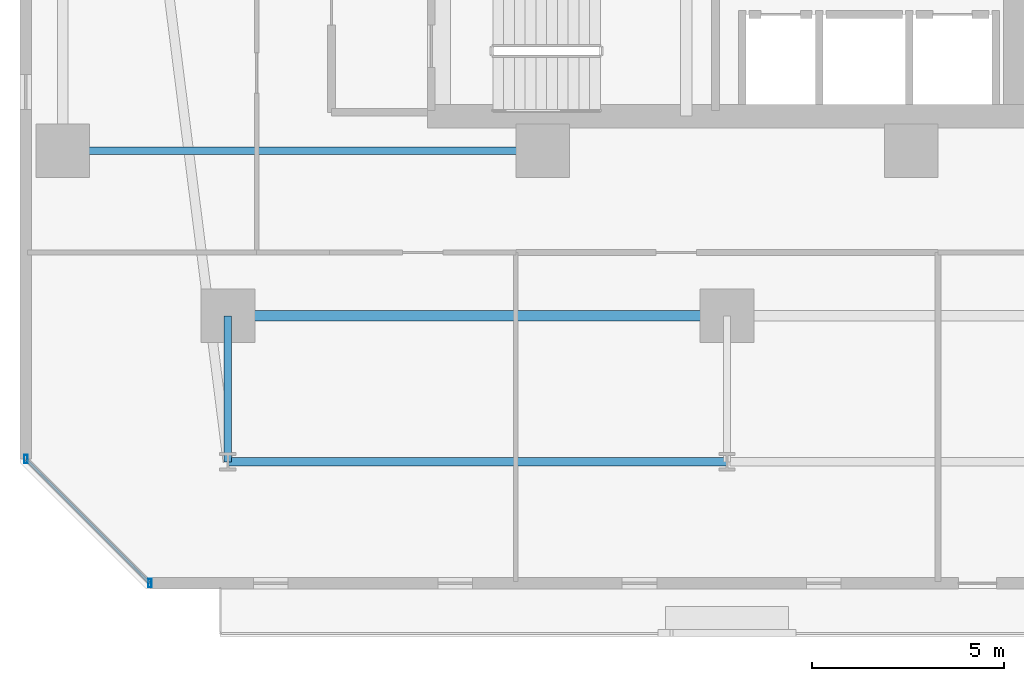
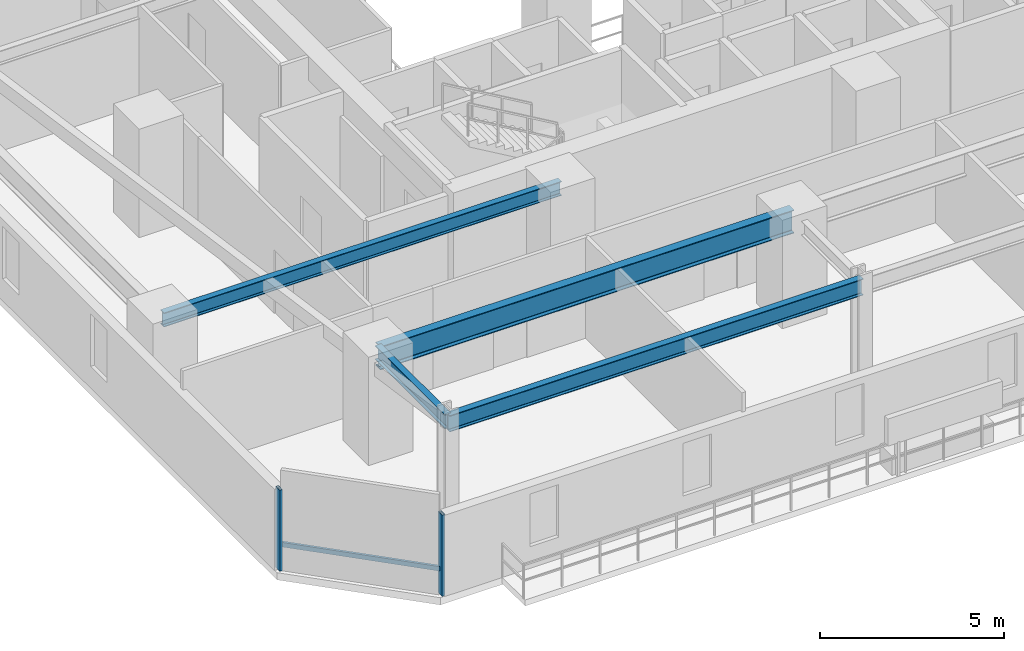
# One storey, part 3 of 34: 4 beams, 3 members, 1 element without a shape of its own.
"""IFC4 building model written with IfcOpenShell, lengths in metres."""

from ifc_helpers import new_model, si_unit, direction, frame, origin, origin_2d, place, context, subcontext, project, spatial, hollow_rectangle, i_section, extrude, material, material_profile, profile_set, type_object, element, aggregate, save


model = new_model("IFC4")

# Units and contexts
model_context = context("Model", 3, precision=1e-05, world=origin(), true_north=direction((0.0, 1.0)))
body_context = subcontext(model_context, "Body", "Model", "MODEL_VIEW")
ifc_project = project(units=[si_unit("LENGTHUNIT", "METRE"), si_unit("AREAUNIT", "SQUARE_METRE"), si_unit("VOLUMEUNIT", "CUBIC_METRE"), si_unit("PLANEANGLEUNIT", "RADIAN"), si_unit("MASSUNIT", "GRAM", prefix="KILO")], contexts=[model_context])

# Site, building, storey
site_placement = place(None, origin())
site = spatial("IfcSite", under=ifc_project, at=site_placement, CompositionType="ELEMENT")
building_placement = place(site_placement, origin())
building = spatial("IfcBuilding", under=site, at=building_placement, Name="Thornwick Lancets Civic Towers", CompositionType="ELEMENT")
storey_placement = place(building_placement, frame((0.0, 0.0, 60.89990234375)))
storey = spatial("IfcBuildingStorey", under=building, at=storey_placement, Name="L15", CompositionType="ELEMENT", Elevation=60.89990234375)

# Beams
ifc_material_1 = material(Name="Steel S355JR", Category="steel")
ifc_material_profile_1 = material_profile(ifc_material_1, i_section(OverallWidth=0.2119140625, OverallDepth=0.54443359375, WebThickness=0.0126953125, FlangeThickness=0.021240234375, FilletRadius=0.0126953125, at=origin_2d()), Name="UKB 533x210x122")
ifc_profile_set_1 = profile_set([ifc_material_profile_1], Name="Steel S355JR")
beam_type_1 = type_object("IfcBeamType", Name="BM_EDGE_533_122", PredefinedType="SPANDREL", material=ifc_profile_set_1)
beam_1_placement = place(storey_placement, frame((12.5, 5.89990234375, 3.087890625), z_axis=(1.0, 0.0, 0.0), x_axis=(0.0, 1.0, 0.0)))
element("IfcBeam", 1, at=beam_1_placement, inside=storey, type_object=beam_type_1, Name="BM-EDGE-L15-A-S0-1", PredefinedType="SPANDREL", context=body_context, shape_type="SweptSolid", body=[
    extrude(i_section(OverallWidth=0.2119140625, OverallDepth=0.54443359375, WebThickness=0.0126953125, FlangeThickness=0.021240234375, FilletRadius=0.0126953125, at=origin_2d()), origin(), (0.0, 0.0, 1.0), 13.0),
])
ifc_material_profile_2 = material_profile(ifc_material_1, i_section(OverallWidth=0.26806640625, OverallDepth=0.769775390625, WebThickness=0.015625, FlangeThickness=0.025390625, FilletRadius=0.0166015625, at=origin_2d()), Name="UKB 762x267x197")
ifc_profile_set_2 = profile_set([ifc_material_profile_2], Name="Steel S355JR")
beam_type_2 = type_object("IfcBeamType", Name="BM_GIRD_762_197", PredefinedType="BEAM", material=ifc_profile_set_2)
beam_2_placement = place(storey_placement, frame((12.5, 9.699951171875, 2.97509765625), z_axis=(1.0, 0.0, 0.0), x_axis=(0.0, 1.0, 0.0)))
element("IfcBeam", 2, at=beam_2_placement, inside=storey, type_object=beam_type_2, Name="BM-SPINE-L15-A-0-1", PredefinedType="BEAM", context=body_context, shape_type="SweptSolid", body=[
    extrude(i_section(OverallWidth=0.26806640625, OverallDepth=0.769775390625, WebThickness=0.015625, FlangeThickness=0.025390625, FilletRadius=0.0166015625, at=origin_2d()), origin(), (0.0, 0.0, 1.0), 13.0),
])
ifc_material_profile_3 = material_profile(ifc_material_1, i_section(OverallWidth=0.19287109375, OverallDepth=0.46728515625, WebThickness=0.011474609375, FlangeThickness=0.01953125, FilletRadius=0.01025390625, at=origin_2d()), Name="UKB 457x191x98")
ifc_profile_set_3 = profile_set([ifc_material_profile_3], Name="Steel S355JR")
beam_type_3 = type_object("IfcBeamType", Name="BM_JOIST_457_98", PredefinedType="JOIST", material=ifc_profile_set_3)
beam_3_placement = place(storey_placement, frame((12.5, 9.699951171875, 3.12646484375), z_axis=(0.0, -1.0, 0.0), x_axis=(1.0, 0.0, 0.0)))
element("IfcBeam", 3, at=beam_3_placement, inside=storey, type_object=beam_type_3, Name="BM-RAD-L15-A01", PredefinedType="JOIST", context=body_context, shape_type="SweptSolid", body=[
    extrude(i_section(OverallWidth=0.19287109375, OverallDepth=0.46728515625, WebThickness=0.011474609375, FlangeThickness=0.01953125, FilletRadius=0.01025390625, at=origin_2d()), origin(), (0.0, 0.0, 1.0), 3.800048828125),
])
beam_4_placement = place(storey_placement, frame((20.699951171875, 14.0, 3.12646484375), z_axis=(-1.0, 0.0, 0.0), x_axis=(0.0, -1.0, 0.0)))
element("IfcBeam", 4, at=beam_4_placement, inside=storey, type_object=beam_type_3, Name="BM-RADIN-L15-A10", PredefinedType="JOIST", context=body_context, shape_type="SweptSolid", body=[
    extrude(i_section(OverallWidth=0.19287109375, OverallDepth=0.46728515625, WebThickness=0.011474609375, FlangeThickness=0.01953125, FilletRadius=0.01025390625, at=origin_2d()), origin(), (0.0, 0.0, 1.0), 12.5),
])

# Curtain wall, members
ifc_material_2 = material(Name="Low-zone chamfered-corner unitised glass curtain wall", Category="glass")
curtain_wall_type = type_object("IfcCurtainWallType", Name="CW_SYS_03", PredefinedType="NOTDEFINED", material=ifc_material_2)
curtain_wall_placement = place(storey_placement, origin())
curtain_wall = element("IfcCurtainWall", 5, at=curtain_wall_placement, inside=storey, type_object=curtain_wall_type, Name="L15 Curtain Wall CW-L15-A-E7", PredefinedType="NOTDEFINED")
ifc_material_3 = material(Name="Thermally broken bronze aluminium S355", Category="steel")
ifc_material_profile_4 = material_profile(ifc_material_3, hollow_rectangle(XDim=0.090087890625, YDim=0.219970703125, WallThickness=0.00634765625, at=origin_2d()), Name="RHS 220x90x6.3")
ifc_profile_set_4 = profile_set([ifc_material_profile_4], Name="Thermally broken bronze aluminium S355")
member_type_1 = type_object("IfcMemberType", Name="CW_MUL_220", PredefinedType="MULLION", material=ifc_profile_set_4)
member_1_placement = place(storey_placement, frame((7.2373046875, 5.971435546875, 0.0), z_axis=(0.0, 0.0, 1.0), x_axis=(1.0, 0.0, 0.0)))
member_1 = element("IfcMember", 6, at=member_1_placement, type_object=member_type_1, Name="CW-L15-A-E7 Mullion 0", PredefinedType="MULLION", context=body_context, shape_type="SweptSolid", body=[
    extrude(hollow_rectangle(XDim=0.090087890625, YDim=0.219970703125, WallThickness=0.00634765625, at=origin_2d()), origin(), (0.0, 0.0, 1.0), 2.7001953125),
])
member_2_placement = place(storey_placement, frame((10.471435546875, 2.7373046875, 0.0), z_axis=(0.0, 0.0, 1.0), x_axis=(1.0, 0.0, 0.0)))
member_2 = element("IfcMember", 7, at=member_2_placement, type_object=member_type_1, Name="CW-L15-A-E7 Mullion 1", PredefinedType="MULLION", context=body_context, shape_type="SweptSolid", body=[
    extrude(hollow_rectangle(XDim=0.090087890625, YDim=0.219970703125, WallThickness=0.00634765625, at=origin_2d()), origin(), (0.0, 0.0, 1.0), 2.7001953125),
])
ifc_material_profile_5 = material_profile(ifc_material_3, hollow_rectangle(XDim=0.074951171875, YDim=0.14990234375, WallThickness=0.0048828125, at=origin_2d()), Name="RHS 150x75x5")
ifc_profile_set_5 = profile_set([ifc_material_profile_5], Name="Thermally broken bronze aluminium S355")
member_type_2 = type_object("IfcMemberType", Name="CW_TRN_150", PredefinedType="USERDEFINED", material=ifc_profile_set_5)
member_3_placement = place(storey_placement, frame((7.25146484375, 5.957275390625, 0.85009765625), z_axis=(0.707106781187, -0.707106781187, 0.0), x_axis=(0.707106781187, 0.707106781187, 0.0)))
member_3 = element("IfcMember", 8, at=member_3_placement, type_object=member_type_2, Name="CW-L15-A-E7 Transom 0", ObjectType="TRANSOM", PredefinedType="USERDEFINED", context=body_context, shape_type="SweptSolid", body=[
    extrude(hollow_rectangle(XDim=0.074951171875, YDim=0.14990234375, WallThickness=0.0048828125, at=origin_2d()), origin(), (0.0, 0.0, 1.0), 4.53369140625),
])
aggregate(curtain_wall, [member_1, member_2, member_3])

save(model, "model.ifc")
